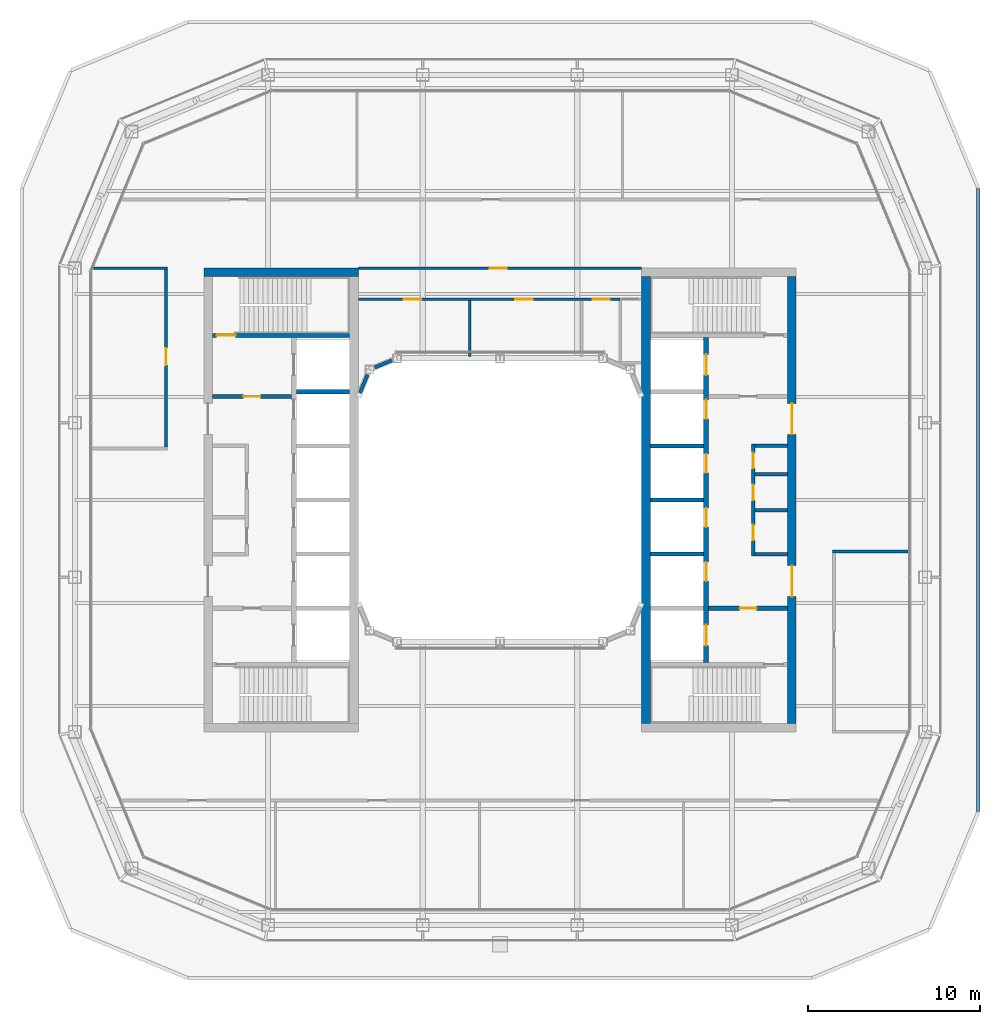
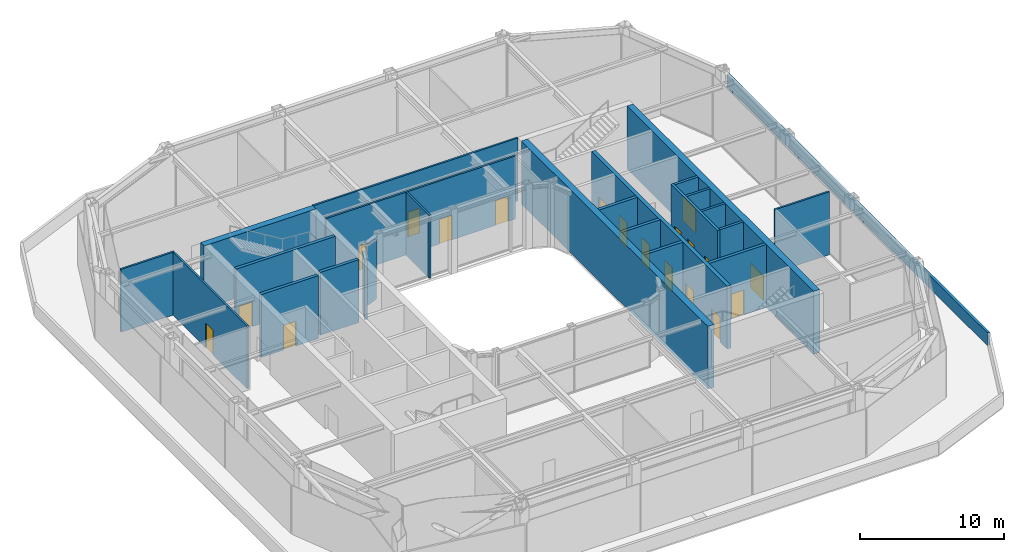
# One storey, part 11 of 17: 25 walls, 19 doors, 19 openings.
"""IFC4 building model written with IfcOpenShell, lengths in metres."""

from ifc_helpers import new_model, si_unit, direction, frame, frame_2d, origin, place, context, subcontext, project, spatial, rectangle, extrude, material, layer, layer_set, type_object, element, fill, save


model = new_model("IFC4")

# Units and contexts
model_context = context("Model", 3, precision=1e-05, world=origin(), true_north=direction((0.0, 1.0)))
body_context = subcontext(model_context, "Body", "Model", "MODEL_VIEW")
ifc_project = project(units=[si_unit("LENGTHUNIT", "METRE"), si_unit("AREAUNIT", "SQUARE_METRE"), si_unit("VOLUMEUNIT", "CUBIC_METRE"), si_unit("PLANEANGLEUNIT", "RADIAN"), si_unit("MASSUNIT", "GRAM", prefix="KILO")], contexts=[model_context])

# Site, building, storey
site_placement = place(None, origin())
site = spatial("IfcSite", under=ifc_project, at=site_placement, CompositionType="ELEMENT")
building_placement = place(site_placement, origin())
building = spatial("IfcBuilding", under=site, at=building_placement, Name="Siwar Civic Tower", CompositionType="ELEMENT")
storey_placement = place(building_placement, frame((0.0, 0.0, 284.199951171875)))
storey = spatial("IfcBuildingStorey", under=building, at=storey_placement, Name="L61", CompositionType="ELEMENT", Elevation=284.199951171875)

# Wall
ifc_material_1 = material(Name="Gypsum board on steel studs", Category="steel")
ifc_layer_1 = layer(ifc_material_1, 0.14990234375)
ifc_layer_set_1 = layer_set([ifc_layer_1], Name="Gypsum board on steel studs")
wall_type_1 = type_object("IfcWallType", Name="COMPARTMENT PARTITION 150 EI 60", PredefinedType="PARTITIONING", material=ifc_layer_set_1)
wall_1_placement = place(storey_placement, frame((19.375, -3.0, 0.0), z_axis=(0.0, 0.0, 1.0), x_axis=(1.0, 0.0, 0.0)))
element("IfcWall", 1, at=wall_1_placement, inside=storey, type_object=wall_type_1, Name="L61/wall/P03", PredefinedType="PARTITIONING", context=body_context, shape_type="SweptSolid", body=[
    extrude(rectangle(XDim=4.385009765625, YDim=0.14990234375, at=frame_2d((2.1923828125, 0.0))), origin(), (0.0, 0.0, 1.0), 5.35009765625),
])

# Wall, openings, doors
ifc_material_2 = material(Name="Gypsum board on steel studs", Category="steel")
ifc_layer_2 = layer(ifc_material_2, 0.199951171875)
ifc_layer_set_2 = layer_set([ifc_layer_2], Name="Gypsum board on steel studs")
wall_type_2 = type_object("IfcWallType", Name="CORE-PARTITION-200", PredefinedType="PARTITIONING", material=ifc_layer_set_2)
wall_2_placement = place(storey_placement, frame((14.75, -3.25, 0.0), z_axis=(0.0, 0.0, 1.0), x_axis=(0.0, 1.0, 0.0)))
wall_2 = element("IfcWall", 2, at=wall_2_placement, inside=storey, type_object=wall_type_2, Name="Core partition E", PredefinedType="PARTITIONING", context=body_context, shape_type="SweptSolid", body=[
    extrude(rectangle(XDim=6.5, YDim=0.199951171875, at=frame_2d((3.25, 0.0))), origin(), (0.0, 0.0, 1.0), 5.35009765625),
])
opening_1_placement = place(wall_2_placement, frame((0.89990234375, 0.0, 0.0)))
opening_1 = element("IfcOpeningElement", 3, at=opening_1_placement, cuts=wall_2, Name="Opening L61-CE13", PredefinedType="OPENING", context=body_context, shape_type="SweptSolid", body=[
    extrude(rectangle(XDim=0.89990234375, YDim=2.10009765625, at=frame_2d((0.449951171875, 1.050048828125))), frame((0.0, 0.10986328125, 0.0), z_axis=(0.0, -1.0, 0.0), x_axis=(1.0, 0.0, 0.0)), (0.0, 0.0, 1.0), 0.219970703125),
])
opening_2_placement = place(wall_2_placement, frame((3.25, 0.0, 0.0)))
opening_2 = element("IfcOpeningElement", 4, at=opening_2_placement, cuts=wall_2, Name="Opening L61-CE14", PredefinedType="OPENING", context=body_context, shape_type="SweptSolid", body=[
    extrude(rectangle(XDim=0.89990234375, YDim=2.10009765625, at=frame_2d((0.449951171875, 1.050048828125))), frame((0.0, 0.10986328125, 0.0), z_axis=(0.0, -1.0, 0.0), x_axis=(1.0, 0.0, 0.0)), (0.0, 0.0, 1.0), 0.219970703125),
])
opening_3_placement = place(wall_2_placement, frame((5.10009765625, 0.0, 0.0)))
opening_3 = element("IfcOpeningElement", 5, at=opening_3_placement, cuts=wall_2, Name="Opening L61-CE15", PredefinedType="OPENING", context=body_context, shape_type="SweptSolid", body=[
    extrude(rectangle(XDim=0.89990234375, YDim=2.10009765625, at=frame_2d((0.449951171875, 1.050048828125))), frame((0.0, 0.10986328125, 0.0), z_axis=(0.0, -1.0, 0.0), x_axis=(1.0, 0.0, 0.0)), (0.0, 0.0, 1.0), 0.219970703125),
])
ifc_material_3 = material(Name="Steel door leaf", Category="steel")
door_type_1 = type_object("IfcDoorType", Name="CORE-DOOR-ROOM", OperationType="SINGLE_SWING_LEFT", PredefinedType="DOOR", material=ifc_material_3)
door_1_placement = place(opening_1_placement, origin())
door_1 = element("IfcDoor", 6, at=door_1_placement, inside=storey, type_object=door_type_1, Name="Core room door L61-CE13", OperationType="SINGLE_SWING_LEFT", OverallHeight=2.10009765625, OverallWidth=0.89990234375, PredefinedType="DOOR", context=body_context, shape_type="SweptSolid", body=[
    extrude(rectangle(XDim=0.89990234375, YDim=2.10009765625, at=frame_2d((0.449951171875, 1.050048828125))), frame((0.0, 0.02490234375, 0.0), z_axis=(0.0, -1.0, 0.0), x_axis=(1.0, 0.0, 0.0)), (0.0, 0.0, 1.0), 0.050048828125),
])
fill(opening_1, door_1)
door_2_placement = place(opening_2_placement, origin())
door_2 = element("IfcDoor", 7, at=door_2_placement, inside=storey, type_object=door_type_1, Name="Core room door L61-CE14", OperationType="SINGLE_SWING_LEFT", OverallHeight=2.10009765625, OverallWidth=0.89990234375, PredefinedType="DOOR", context=body_context, shape_type="SweptSolid", body=[
    extrude(rectangle(XDim=0.89990234375, YDim=2.10009765625, at=frame_2d((0.449951171875, 1.050048828125))), frame((0.0, 0.02490234375, 0.0), z_axis=(0.0, -1.0, 0.0), x_axis=(1.0, 0.0, 0.0)), (0.0, 0.0, 1.0), 0.050048828125),
])
fill(opening_2, door_2)
door_3_placement = place(opening_3_placement, origin())
door_3 = element("IfcDoor", 8, at=door_3_placement, inside=storey, type_object=door_type_1, Name="Core room door L61-CE15", OperationType="SINGLE_SWING_LEFT", OverallHeight=2.10009765625, OverallWidth=0.89990234375, PredefinedType="DOOR", context=body_context, shape_type="SweptSolid", body=[
    extrude(rectangle(XDim=0.89990234375, YDim=2.10009765625, at=frame_2d((0.449951171875, 1.050048828125))), frame((0.0, 0.02490234375, 0.0), z_axis=(0.0, -1.0, 0.0), x_axis=(1.0, 0.0, 0.0)), (0.0, 0.0, 1.0), 0.050048828125),
])
fill(opening_3, door_3)

# Walls
for number, where, z_axis, x_axis, name in (
    (9, (14.85009765625, 3.14990234375, 0.0), (0.0, 0.0, 1.0), (1.0, 0.0, 0.0), "Core partition E"),
    (10, (14.85009765625, -3.14990234375, 0.0), (0.0, 0.0, 1.0), (1.0, 0.0, 0.0), "Core partition E"),
    (11, (14.85009765625, -0.60009765625, 0.0), (0.0, 0.0, 1.0), (1.0, 0.0, 0.0), "Core partition E"),
    (12, (14.85009765625, 1.5, 0.0), (0.0, 0.0, 1.0), (1.0, 0.0, 0.0), "Core partition E"),
):
    element("IfcWall", number, at=place(storey_placement, frame(where, z_axis=z_axis, x_axis=x_axis)), inside=storey, type_object=wall_type_2, Name=name, PredefinedType="PARTITIONING", context=body_context, shape_type="SweptSolid", body=[
        extrude(rectangle(XDim=1.89990234375, YDim=0.199951171875, at=frame_2d((0.949951171875, 0.0))), origin(), (0.0, 0.0, 1.0), 5.35009765625),
    ])

# Wall, opening, door
ifc_material_4 = material(Name="Concrete C60/75", Category="concrete")
ifc_layer_3 = layer(ifc_material_4, 0.25)
ifc_layer_set_3 = layer_set([ifc_layer_3], Name="Concrete C60/75")
wall_type_3 = type_object("IfcWallType", Name="CORE-WALL-RC250", PredefinedType="SHEAR", material=ifc_layer_set_3)
wall_3_placement = place(storey_placement, frame((-12.14990234375, 6.02490234375, 0.0), z_axis=(0.0, 0.0, 1.0), x_axis=(-1.0, 0.0, 0.0)))
wall_3 = element("IfcWall", 13, at=wall_3_placement, inside=storey, type_object=wall_type_3, Name="Core wall W", PredefinedType="SHEAR", context=body_context, shape_type="SweptSolid", body=[
    extrude(rectangle(XDim=4.60009765625, YDim=0.25, at=frame_2d((2.300048828125, 0.0))), origin(), (0.0, 0.0, 1.0), 5.35009765625),
])
opening_4_placement = place(wall_3_placement, frame((1.800048828125, 0.0, 0.0)))
opening_4 = element("IfcOpeningElement", 14, at=opening_4_placement, cuts=wall_3, Name="Opening L61-CW01", PredefinedType="OPENING", context=body_context, shape_type="SweptSolid", body=[
    extrude(rectangle(XDim=1.0, YDim=2.10009765625, at=frame_2d((0.5, 1.050048828125))), frame((0.0, 0.135009765625, 0.0), z_axis=(0.0, -1.0, 0.0), x_axis=(1.0, 0.0, 0.0)), (0.0, 0.0, 1.0), 0.27001953125),
])
ifc_material_5 = material(Name="Steel door leaf", Category="steel")
door_type_2 = type_object("IfcDoorType", Name="CORE-DOOR-FD30S", OperationType="SINGLE_SWING_LEFT", PredefinedType="DOOR", material=ifc_material_5)
door_4_placement = place(opening_4_placement, origin())
door_4 = element("IfcDoor", 15, at=door_4_placement, inside=storey, type_object=door_type_2, Name="Firefighting lobby door L61-CW01", OperationType="SINGLE_SWING_LEFT", OverallHeight=2.10009765625, OverallWidth=1.0, PredefinedType="DOOR", context=body_context, shape_type="SweptSolid", body=[
    extrude(rectangle(XDim=1.0, YDim=2.10009765625, at=frame_2d((0.5, 1.050048828125))), frame((0.0, 0.02490234375, 0.0), z_axis=(0.0, -1.0, 0.0), x_axis=(1.0, 0.0, 0.0)), (0.0, 0.0, 1.0), 0.050048828125),
])
fill(opening_4, door_4)

# Wall
wall_4_placement = place(storey_placement, frame((-8.75, 6.300048828125, 0.0), z_axis=(0.0, 0.0, 1.0), x_axis=(-1.0, 0.0, 0.0)))
element("IfcWall", 16, at=wall_4_placement, inside=storey, type_object=wall_type_3, Name="Core wall W", PredefinedType="SHEAR", context=body_context, shape_type="SweptSolid", body=[
    extrude(rectangle(XDim=3.10009765625, YDim=0.25, at=frame_2d((1.550048828125, 0.0))), origin(), (0.0, 0.0, 1.0), 5.35009765625),
])

# Wall, opening, door
wall_5_placement = place(storey_placement, frame((-8.75, 9.574951171875, 0.0), z_axis=(0.0, 0.0, 1.0), x_axis=(-1.0, 0.0, 0.0)))
wall_5 = element("IfcWall", 17, at=wall_5_placement, inside=storey, type_object=wall_type_3, Name="Core wall W", PredefinedType="SHEAR", context=body_context, shape_type="SweptSolid", body=[
    extrude(rectangle(XDim=8.0, YDim=0.25, at=frame_2d((4.0, 0.0))), origin(), (0.0, 0.0, 1.0), 5.35009765625),
])
opening_5_placement = place(wall_5_placement, frame((6.64990234375, 0.0, 0.0)))
opening_5 = element("IfcOpeningElement", 18, at=opening_5_placement, cuts=wall_5, Name="Opening L61-CW03", PredefinedType="OPENING", context=body_context, shape_type="SweptSolid", body=[
    extrude(rectangle(XDim=1.10009765625, YDim=2.10009765625, at=frame_2d((0.550048828125, 1.050048828125))), frame((0.0, 0.135009765625, 0.0), z_axis=(0.0, -1.0, 0.0), x_axis=(1.0, 0.0, 0.0)), (0.0, 0.0, 1.0), 0.27001953125),
])
ifc_material_6 = material(Name="Steel door leaf", Category="steel")
door_type_3 = type_object("IfcDoorType", Name="CORE-DOOR-FD60S", OperationType="SINGLE_SWING_LEFT", PredefinedType="DOOR", material=ifc_material_6)
door_5_placement = place(opening_5_placement, origin())
door_5 = element("IfcDoor", 19, at=door_5_placement, inside=storey, type_object=door_type_3, Name="Stair door L61-CW03", OperationType="SINGLE_SWING_RIGHT", OverallHeight=2.10009765625, OverallWidth=1.10009765625, PredefinedType="DOOR", context=body_context, shape_type="SweptSolid", body=[
    extrude(rectangle(XDim=1.10009765625, YDim=2.10009765625, at=frame_2d((0.550048828125, 1.050048828125))), frame((0.0, 0.02490234375, 0.0), z_axis=(0.0, -1.0, 0.0), x_axis=(1.0, 0.0, 0.0)), (0.0, 0.0, 1.0), 0.050048828125),
])
fill(opening_5, door_5)

wall_6_placement = place(storey_placement, frame((12.14990234375, -6.300048828125, 0.0), z_axis=(0.0, 0.0, 1.0), x_axis=(1.0, 0.0, 0.0)))
wall_6 = element("IfcWall", 20, at=wall_6_placement, inside=storey, type_object=wall_type_3, Name="Core wall E", PredefinedType="SHEAR", context=body_context, shape_type="SweptSolid", body=[
    extrude(rectangle(XDim=4.60009765625, YDim=0.25, at=frame_2d((2.300048828125, 0.0))), origin(), (0.0, 0.0, 1.0), 5.35009765625),
])
opening_6_placement = place(wall_6_placement, frame((1.800048828125, 0.0, 0.0)))
opening_6 = element("IfcOpeningElement", 21, at=opening_6_placement, cuts=wall_6, Name="Opening L61-CE02", PredefinedType="OPENING", context=body_context, shape_type="SweptSolid", body=[
    extrude(rectangle(XDim=1.0, YDim=2.10009765625, at=frame_2d((0.5, 1.050048828125))), frame((0.0, 0.135009765625, 0.0), z_axis=(0.0, -1.0, 0.0), x_axis=(1.0, 0.0, 0.0)), (0.0, 0.0, 1.0), 0.27001953125),
])
door_6_placement = place(opening_6_placement, origin())
door_6 = element("IfcDoor", 22, at=door_6_placement, inside=storey, type_object=door_type_2, Name="Service lobby door L61-CE02", OperationType="SINGLE_SWING_LEFT", OverallHeight=2.10009765625, OverallWidth=1.0, PredefinedType="DOOR", context=body_context, shape_type="SweptSolid", body=[
    extrude(rectangle(XDim=1.0, YDim=2.10009765625, at=frame_2d((0.5, 1.050048828125))), frame((0.0, 0.02490234375, 0.0), z_axis=(0.0, -1.0, 0.0), x_axis=(1.0, 0.0, 0.0)), (0.0, 0.0, 1.0), 0.050048828125),
])
fill(opening_6, door_6)

# Walls
for number, where, z_axis, x_axis, name in (
    (23, (8.75, 0.0, 0.0), (0.0, 0.0, 1.0), (1.0, 0.0, 0.0), "Core wall E"),
    (24, (8.75, 3.14990234375, 0.0), (0.0, 0.0, 1.0), (1.0, 0.0, 0.0), "Core wall E"),
    (25, (8.75, -3.14990234375, 0.0), (0.0, 0.0, 1.0), (1.0, 0.0, 0.0), "Core wall E"),
):
    element("IfcWall", number, at=place(storey_placement, frame(where, z_axis=z_axis, x_axis=x_axis)), inside=storey, type_object=wall_type_3, Name=name, PredefinedType="SHEAR", context=body_context, shape_type="SweptSolid", body=[
        extrude(rectangle(XDim=3.10009765625, YDim=0.25, at=frame_2d((1.550048828125, 0.0))), origin(), (0.0, 0.0, 1.0), 5.35009765625),
    ])

# Wall, openings, doors
ifc_material_7 = material(Name="Concrete C60/75", Category="concrete")
ifc_layer_4 = layer(ifc_material_7, 0.300048828125)
ifc_layer_set_4 = layer_set([ifc_layer_4], Name="Concrete C60/75")
wall_type_4 = type_object("IfcWallType", Name="CORE-WALL-RC300", PredefinedType="SHEAR", material=ifc_layer_set_4)
wall_7_placement = place(storey_placement, frame((12.0, -9.449951171875, 0.0), z_axis=(0.0, 0.0, 1.0), x_axis=(0.0, 1.0, 0.0)))
wall_7 = element("IfcWall", 26, at=wall_7_placement, inside=storey, type_object=wall_type_4, Name="Core wall E", PredefinedType="SHEAR", context=body_context, shape_type="SweptSolid", body=[
    extrude(rectangle(XDim=18.89990234375, YDim=0.300048828125, at=frame_2d((9.449951171875, 0.0))), origin(), (0.0, 0.0, 1.0), 5.35009765625),
])
opening_7_placement = place(wall_7_placement, frame((4.72509765625, 0.0, 0.0)))
opening_7 = element("IfcOpeningElement", 27, at=opening_7_placement, cuts=wall_7, Name="Opening L61-CE07", PredefinedType="OPENING", context=body_context, shape_type="SweptSolid", body=[
    extrude(rectangle(XDim=1.10009765625, YDim=2.10009765625, at=frame_2d((0.550048828125, 1.050048828125))), frame((0.0, 0.16015625, 0.0), z_axis=(0.0, -1.0, 0.0), x_axis=(1.0, 0.0, 0.0)), (0.0, 0.0, 1.0), 0.320068359375),
])
opening_8_placement = place(wall_7_placement, frame((7.875, 0.0, 0.0)))
opening_8 = element("IfcOpeningElement", 28, at=opening_8_placement, cuts=wall_7, Name="Opening L61-CE08", PredefinedType="OPENING", context=body_context, shape_type="SweptSolid", body=[
    extrude(rectangle(XDim=1.10009765625, YDim=2.10009765625, at=frame_2d((0.550048828125, 1.050048828125))), frame((0.0, 0.16015625, 0.0), z_axis=(0.0, -1.0, 0.0), x_axis=(1.0, 0.0, 0.0)), (0.0, 0.0, 1.0), 0.320068359375),
])
opening_9_placement = place(wall_7_placement, frame((11.02490234375, 0.0, 0.0)))
opening_9 = element("IfcOpeningElement", 29, at=opening_9_placement, cuts=wall_7, Name="Opening L61-CE09", PredefinedType="OPENING", context=body_context, shape_type="SweptSolid", body=[
    extrude(rectangle(XDim=1.10009765625, YDim=2.10009765625, at=frame_2d((0.550048828125, 1.050048828125))), frame((0.0, 0.16015625, 0.0), z_axis=(0.0, -1.0, 0.0), x_axis=(1.0, 0.0, 0.0)), (0.0, 0.0, 1.0), 0.320068359375),
])
opening_10_placement = place(wall_7_placement, frame((14.175048828125, 0.0, 0.0)))
opening_10 = element("IfcOpeningElement", 30, at=opening_10_placement, cuts=wall_7, Name="Opening L61-CE10", PredefinedType="OPENING", context=body_context, shape_type="SweptSolid", body=[
    extrude(rectangle(XDim=1.10009765625, YDim=2.10009765625, at=frame_2d((0.550048828125, 1.050048828125))), frame((0.0, 0.16015625, 0.0), z_axis=(0.0, -1.0, 0.0), x_axis=(1.0, 0.0, 0.0)), (0.0, 0.0, 1.0), 0.320068359375),
])
opening_11_placement = place(wall_7_placement, frame((16.72509765625, 0.0, 0.0)))
opening_11 = element("IfcOpeningElement", 31, at=opening_11_placement, cuts=wall_7, Name="Opening L61-CE11", PredefinedType="OPENING", context=body_context, shape_type="SweptSolid", body=[
    extrude(rectangle(XDim=1.199951171875, YDim=2.10009765625, at=frame_2d((0.60009765625, 1.050048828125))), frame((0.0, 0.16015625, 0.0), z_axis=(0.0, -1.0, 0.0), x_axis=(1.0, 0.0, 0.0)), (0.0, 0.0, 1.0), 0.320068359375),
])
opening_12_placement = place(wall_7_placement, frame((0.97509765625, 0.0, 0.0)))
opening_12 = element("IfcOpeningElement", 32, at=opening_12_placement, cuts=wall_7, Name="Opening L61-CE12", PredefinedType="OPENING", context=body_context, shape_type="SweptSolid", body=[
    extrude(rectangle(XDim=1.199951171875, YDim=2.10009765625, at=frame_2d((0.60009765625, 1.050048828125))), frame((0.0, 0.16015625, 0.0), z_axis=(0.0, -1.0, 0.0), x_axis=(1.0, 0.0, 0.0)), (0.0, 0.0, 1.0), 0.320068359375),
])
ifc_material_8 = material(Name="Steel door leaf", Category="steel")
door_type_4 = type_object("IfcDoorType", Name="CORE-DOOR-LD", OperationType="DOUBLE_DOOR_SLIDING", PredefinedType="DOOR", material=ifc_material_8)
door_7_placement = place(opening_7_placement, origin())
door_7 = element("IfcDoor", 33, at=door_7_placement, inside=storey, type_object=door_type_4, Name="Landing door HR5 L61-CE07", OperationType="DOUBLE_DOOR_SLIDING", OverallHeight=2.10009765625, OverallWidth=1.10009765625, PredefinedType="DOOR", context=body_context, shape_type="SweptSolid", body=[
    extrude(rectangle(XDim=1.10009765625, YDim=2.10009765625, at=frame_2d((0.550048828125, 1.050048828125))), frame((0.0, 0.02490234375, 0.0), z_axis=(0.0, -1.0, 0.0), x_axis=(1.0, 0.0, 0.0)), (0.0, 0.0, 1.0), 0.050048828125),
])
fill(opening_7, door_7)
door_8_placement = place(opening_8_placement, origin())
door_8 = element("IfcDoor", 34, at=door_8_placement, inside=storey, type_object=door_type_4, Name="Landing door HR6 L61-CE08", OperationType="DOUBLE_DOOR_SLIDING", OverallHeight=2.10009765625, OverallWidth=1.10009765625, PredefinedType="DOOR", context=body_context, shape_type="SweptSolid", body=[
    extrude(rectangle(XDim=1.10009765625, YDim=2.10009765625, at=frame_2d((0.550048828125, 1.050048828125))), frame((0.0, 0.02490234375, 0.0), z_axis=(0.0, -1.0, 0.0), x_axis=(1.0, 0.0, 0.0)), (0.0, 0.0, 1.0), 0.050048828125),
])
fill(opening_8, door_8)
door_9_placement = place(opening_9_placement, origin())
door_9 = element("IfcDoor", 35, at=door_9_placement, inside=storey, type_object=door_type_4, Name="Landing door HR7 L61-CE09", OperationType="DOUBLE_DOOR_SLIDING", OverallHeight=2.10009765625, OverallWidth=1.10009765625, PredefinedType="DOOR", context=body_context, shape_type="SweptSolid", body=[
    extrude(rectangle(XDim=1.10009765625, YDim=2.10009765625, at=frame_2d((0.550048828125, 1.050048828125))), frame((0.0, 0.02490234375, 0.0), z_axis=(0.0, -1.0, 0.0), x_axis=(1.0, 0.0, 0.0)), (0.0, 0.0, 1.0), 0.050048828125),
])
fill(opening_9, door_9)
door_10_placement = place(opening_10_placement, origin())
door_10 = element("IfcDoor", 36, at=door_10_placement, inside=storey, type_object=door_type_4, Name="Landing door HR8 L61-CE10", OperationType="DOUBLE_DOOR_SLIDING", OverallHeight=2.10009765625, OverallWidth=1.10009765625, PredefinedType="DOOR", context=body_context, shape_type="SweptSolid", body=[
    extrude(rectangle(XDim=1.10009765625, YDim=2.10009765625, at=frame_2d((0.550048828125, 1.050048828125))), frame((0.0, 0.02490234375, 0.0), z_axis=(0.0, -1.0, 0.0), x_axis=(1.0, 0.0, 0.0)), (0.0, 0.0, 1.0), 0.050048828125),
])
fill(opening_10, door_10)
ifc_material_9 = material(Name="Steel door leaf", Category="steel")
door_type_5 = type_object("IfcDoorType", Name="CORE-DOOR-LDW", OperationType="DOUBLE_DOOR_SLIDING", PredefinedType="DOOR", material=ifc_material_9)
door_11_placement = place(opening_11_placement, origin())
door_11 = element("IfcDoor", 37, at=door_11_placement, inside=storey, type_object=door_type_5, Name="Landing door FF2 L61-CE11", OperationType="DOUBLE_DOOR_SLIDING", OverallHeight=2.10009765625, OverallWidth=1.199951171875, PredefinedType="DOOR", context=body_context, shape_type="SweptSolid", body=[
    extrude(rectangle(XDim=1.199951171875, YDim=2.10009765625, at=frame_2d((0.60009765625, 1.050048828125))), frame((0.0, 0.02490234375, 0.0), z_axis=(0.0, -1.0, 0.0), x_axis=(1.0, 0.0, 0.0)), (0.0, 0.0, 1.0), 0.050048828125),
])
fill(opening_11, door_11)
door_12_placement = place(opening_12_placement, origin())
door_12 = element("IfcDoor", 38, at=door_12_placement, inside=storey, type_object=door_type_5, Name="Landing door SV2 L61-CE12", OperationType="DOUBLE_DOOR_SLIDING", OverallHeight=2.10009765625, OverallWidth=1.199951171875, PredefinedType="DOOR", context=body_context, shape_type="SweptSolid", body=[
    extrude(rectangle(XDim=1.199951171875, YDim=2.10009765625, at=frame_2d((0.60009765625, 1.050048828125))), frame((0.0, 0.02490234375, 0.0), z_axis=(0.0, -1.0, 0.0), x_axis=(1.0, 0.0, 0.0)), (0.0, 0.0, 1.0), 0.050048828125),
])
fill(opening_12, door_12)

# Wall
ifc_material_10 = material(Name="Concrete C60/75", Category="concrete")
ifc_layer_5 = layer(ifc_material_10, 0.5)
ifc_layer_set_5 = layer_set([ifc_layer_5], Name="Concrete C60/75")
wall_type_5 = type_object("IfcWallType", Name="CORE-WALL-RC500", PredefinedType="SHEAR", material=ifc_layer_set_5)
wall_8_placement = place(storey_placement, frame((-8.25, 13.25, 0.0), z_axis=(0.0, 0.0, 1.0), x_axis=(-1.0, 0.0, 0.0)))
element("IfcWall", 39, at=wall_8_placement, inside=storey, type_object=wall_type_5, Name="Core wall W", PredefinedType="SHEAR", context=body_context, shape_type="SweptSolid", body=[
    extrude(rectangle(XDim=9.0, YDim=0.5, at=frame_2d((4.5, 0.0))), origin(), (0.0, 0.0, 1.0), 5.35009765625),
])

# Wall, openings, doors
wall_9_placement = place(storey_placement, frame((17.0, -13.0, 0.0), z_axis=(0.0, 0.0, 1.0), x_axis=(0.0, 1.0, 0.0)))
wall_9 = element("IfcWall", 40, at=wall_9_placement, inside=storey, type_object=wall_type_5, Name="Core wall E", PredefinedType="SHEAR", context=body_context, shape_type="SweptSolid", body=[
    extrude(rectangle(XDim=26.0, YDim=0.5, at=frame_2d((13.0, 0.0))), origin(), (0.0, 0.0, 1.0), 5.35009765625),
])
opening_13_placement = place(wall_9_placement, frame((16.824951171875, 0.0, 0.0)))
opening_13 = element("IfcOpeningElement", 41, at=opening_13_placement, cuts=wall_9, Name="Opening L61-CE05", PredefinedType="OPENING", context=body_context, shape_type="SweptSolid", body=[
    extrude(rectangle(XDim=1.800048828125, YDim=2.10009765625, at=frame_2d((0.89990234375, 1.050048828125))), frame((0.0, 0.260009765625, 0.0), z_axis=(0.0, -1.0, 0.0), x_axis=(1.0, 0.0, 0.0)), (0.0, 0.0, 1.0), 0.52001953125),
])
opening_14_placement = place(wall_9_placement, frame((7.375, 0.0, 0.0)))
opening_14 = element("IfcOpeningElement", 42, at=opening_14_placement, cuts=wall_9, Name="Opening L61-CE06", PredefinedType="OPENING", context=body_context, shape_type="SweptSolid", body=[
    extrude(rectangle(XDim=1.800048828125, YDim=2.10009765625, at=frame_2d((0.89990234375, 1.050048828125))), frame((0.0, 0.260009765625, 0.0), z_axis=(0.0, -1.0, 0.0), x_axis=(1.0, 0.0, 0.0)), (0.0, 0.0, 1.0), 0.52001953125),
])
ifc_material_11 = material(Name="Steel door leaf", Category="steel")
door_type_6 = type_object("IfcDoorType", Name="CORE-DOOR-PORT", OperationType="DOUBLE_DOOR_DOUBLE_SWING", PredefinedType="DOOR", material=ifc_material_11)
door_13_placement = place(opening_13_placement, origin())
door_13 = element("IfcDoor", 43, at=door_13_placement, inside=storey, type_object=door_type_6, Name="Core entrance door L61-CE05", OperationType="DOUBLE_DOOR_DOUBLE_SWING", OverallHeight=2.10009765625, OverallWidth=1.800048828125, PredefinedType="DOOR", context=body_context, shape_type="SweptSolid", body=[
    extrude(rectangle(XDim=1.800048828125, YDim=2.10009765625, at=frame_2d((0.89990234375, 1.050048828125))), frame((0.0, 0.02490234375, 0.0), z_axis=(0.0, -1.0, 0.0), x_axis=(1.0, 0.0, 0.0)), (0.0, 0.0, 1.0), 0.050048828125),
])
fill(opening_13, door_13)
door_14_placement = place(opening_14_placement, origin())
door_14 = element("IfcDoor", 44, at=door_14_placement, inside=storey, type_object=door_type_6, Name="Core entrance door L61-CE06", OperationType="DOUBLE_DOOR_DOUBLE_SWING", OverallHeight=2.10009765625, OverallWidth=1.800048828125, PredefinedType="DOOR", context=body_context, shape_type="SweptSolid", body=[
    extrude(rectangle(XDim=1.800048828125, YDim=2.10009765625, at=frame_2d((0.89990234375, 1.050048828125))), frame((0.0, 0.02490234375, 0.0), z_axis=(0.0, -1.0, 0.0), x_axis=(1.0, 0.0, 0.0)), (0.0, 0.0, 1.0), 0.050048828125),
])
fill(opening_14, door_14)

# Wall
ifc_material_12 = material(Name="Concrete C60/75", Category="concrete")
ifc_layer_6 = layer(ifc_material_12, 0.5)
ifc_layer_set_6 = layer_set([ifc_layer_6], Name="Concrete C60/75")
wall_type_6 = type_object("IfcWallType", Name="CORE-WALL-RC500-EXT", PredefinedType="SHEAR", material=ifc_layer_set_6)
wall_10_placement = place(storey_placement, frame((8.5, -13.0, 0.0), z_axis=(0.0, 0.0, 1.0), x_axis=(0.0, 1.0, 0.0)))
element("IfcWall", 45, at=wall_10_placement, inside=storey, type_object=wall_type_6, Name="Core wall E", PredefinedType="SHEAR", context=body_context, shape_type="SweptSolid", body=[
    extrude(rectangle(XDim=26.0, YDim=0.5, at=frame_2d((13.0, 0.0))), origin(), (0.0, 0.0, 1.0), 5.35009765625),
])

# Wall, openings, doors
ifc_material_13 = material(Name="Gypsum board on steel studs", Category="steel")
ifc_layer_7 = layer(ifc_material_13, 0.14990234375)
ifc_layer_set_7 = layer_set([ifc_layer_7], Name="Gypsum board on steel studs")
wall_type_7 = type_object("IfcWallType", Name="CORRIDOR PARTITION 150 EI 30", PredefinedType="PARTITIONING", material=ifc_layer_set_7)
wall_11_placement = place(storey_placement, frame((-8.25, 11.699951171875, 0.0), z_axis=(0.0, 0.0, 1.0), x_axis=(1.0, 0.0, 0.0)))
wall_11 = element("IfcWall", 46, at=wall_11_placement, inside=storey, type_object=wall_type_7, Name="L61/wall/P06", PredefinedType="PARTITIONING", context=body_context, shape_type="SweptSolid", body=[
    extrude(rectangle(XDim=15.25, YDim=0.14990234375, at=frame_2d((7.625, 0.0))), origin(), (0.0, 0.0, 1.0), 5.35009765625),
])
opening_15_placement = place(wall_11_placement, frame((2.64990234375, 0.0, 0.0)))
opening_15 = element("IfcOpeningElement", 47, at=opening_15_placement, cuts=wall_11, Name="Opening D3", PredefinedType="OPENING", context=body_context, shape_type="SweptSolid", body=[
    extrude(rectangle(XDim=1.0, YDim=2.10009765625, at=frame_2d((0.5, 1.050048828125))), frame((0.0, 0.0849609375, 0.0), z_axis=(0.0, -1.0, 0.0), x_axis=(1.0, 0.0, 0.0)), (0.0, 0.0, 1.0), 0.169921875),
])
opening_16_placement = place(wall_11_placement, frame((9.14990234375, 0.0, 0.0)))
opening_16 = element("IfcOpeningElement", 48, at=opening_16_placement, cuts=wall_11, Name="Opening D3", PredefinedType="OPENING", context=body_context, shape_type="SweptSolid", body=[
    extrude(rectangle(XDim=1.0, YDim=2.10009765625, at=frame_2d((0.5, 1.050048828125))), frame((0.0, 0.0849609375, 0.0), z_axis=(0.0, -1.0, 0.0), x_axis=(1.0, 0.0, 0.0)), (0.0, 0.0, 1.0), 0.169921875),
])
opening_17_placement = place(wall_11_placement, frame((13.64990234375, 0.0, 0.0)))
opening_17 = element("IfcOpeningElement", 49, at=opening_17_placement, cuts=wall_11, Name="Opening D3", PredefinedType="OPENING", context=body_context, shape_type="SweptSolid", body=[
    extrude(rectangle(XDim=1.0, YDim=2.10009765625, at=frame_2d((0.5, 1.050048828125))), frame((0.0, 0.0849609375, 0.0), z_axis=(0.0, -1.0, 0.0), x_axis=(1.0, 0.0, 0.0)), (0.0, 0.0, 1.0), 0.169921875),
])
ifc_material_14 = material(Name="Timber, painted", Category="wood")
door_type_7 = type_object("IfcDoorType", Name="DOOR 1000 X 2100 WC", OperationType="SINGLE_SWING_LEFT", PredefinedType="DOOR", material=ifc_material_14)
door_15_placement = place(opening_15_placement, origin())
door_15 = element("IfcDoor", 50, at=door_15_placement, inside=storey, type_object=door_type_7, Name="L61-D09", OperationType="SINGLE_SWING_LEFT", OverallHeight=2.10009765625, OverallWidth=1.0, PredefinedType="DOOR", context=body_context, shape_type="SweptSolid", body=[
    extrude(rectangle(XDim=1.0, YDim=2.10009765625, at=frame_2d((0.5, 1.050048828125))), frame((0.0, 0.02490234375, 0.0), z_axis=(0.0, -1.0, 0.0), x_axis=(1.0, 0.0, 0.0)), (0.0, 0.0, 1.0), 0.050048828125),
])
fill(opening_15, door_15)
door_16_placement = place(opening_16_placement, origin())
door_16 = element("IfcDoor", 51, at=door_16_placement, inside=storey, type_object=door_type_7, Name="L61-D10", OperationType="SINGLE_SWING_RIGHT", OverallHeight=2.10009765625, OverallWidth=1.0, PredefinedType="DOOR", context=body_context, shape_type="SweptSolid", body=[
    extrude(rectangle(XDim=1.0, YDim=2.10009765625, at=frame_2d((0.5, 1.050048828125))), frame((0.0, 0.02490234375, 0.0), z_axis=(0.0, -1.0, 0.0), x_axis=(1.0, 0.0, 0.0)), (0.0, 0.0, 1.0), 0.050048828125),
])
fill(opening_16, door_16)
door_17_placement = place(opening_17_placement, origin())
door_17 = element("IfcDoor", 52, at=door_17_placement, inside=storey, type_object=door_type_7, Name="L61-D11", OperationType="SINGLE_SWING_LEFT", OverallHeight=2.10009765625, OverallWidth=1.0, PredefinedType="DOOR", context=body_context, shape_type="SweptSolid", body=[
    extrude(rectangle(XDim=1.0, YDim=2.10009765625, at=frame_2d((0.5, 1.050048828125))), frame((0.0, 0.02490234375, 0.0), z_axis=(0.0, -1.0, 0.0), x_axis=(1.0, 0.0, 0.0)), (0.0, 0.0, 1.0), 0.050048828125),
])
fill(opening_17, door_17)

# Wall
wall_12_placement = place(storey_placement, frame((-23.677978515625, 13.5, 0.0), z_axis=(0.0, 0.0, 1.0), x_axis=(1.0, 0.0, 0.0)))
element("IfcWall", 53, at=wall_12_placement, inside=storey, type_object=wall_type_7, Name="L61/wall/P08", PredefinedType="PARTITIONING", context=body_context, shape_type="SweptSolid", body=[
    extrude(rectangle(XDim=4.302978515625, YDim=0.14990234375, at=frame_2d((2.1513671875, 0.0))), origin(), (0.0, 0.0, 1.0), 5.35009765625),
])

# Wall, opening, door
wall_13_placement = place(storey_placement, frame((-8.25, 13.5, 0.0), z_axis=(0.0, 0.0, 1.0), x_axis=(1.0, 0.0, 0.0)))
wall_13 = element("IfcWall", 54, at=wall_13_placement, inside=storey, type_object=wall_type_7, Name="L61/wall/P09", PredefinedType="PARTITIONING", context=body_context, shape_type="SweptSolid", body=[
    extrude(rectangle(XDim=16.5, YDim=0.14990234375, at=frame_2d((8.25, 0.0))), origin(), (0.0, 0.0, 1.0), 5.35009765625),
])
opening_18_placement = place(wall_13_placement, frame((7.64990234375, 0.0, 0.0)))
opening_18 = element("IfcOpeningElement", 55, at=opening_18_placement, cuts=wall_13, Name="Opening D1", PredefinedType="OPENING", context=body_context, shape_type="SweptSolid", body=[
    extrude(rectangle(XDim=1.0, YDim=2.10009765625, at=frame_2d((0.5, 1.050048828125))), frame((0.0, 0.0849609375, 0.0), z_axis=(0.0, -1.0, 0.0), x_axis=(1.0, 0.0, 0.0)), (0.0, 0.0, 1.0), 0.169921875),
])
ifc_material_15 = material(Name="Timber, painted", Category="wood")
door_type_8 = type_object("IfcDoorType", Name="DOOR 1000 X 2100 FD30", OperationType="SINGLE_SWING_LEFT", PredefinedType="DOOR", material=ifc_material_15)
door_18_placement = place(opening_18_placement, origin())
door_18 = element("IfcDoor", 56, at=door_18_placement, inside=storey, type_object=door_type_8, Name="L61-D08", OperationType="SINGLE_SWING_RIGHT", OverallHeight=2.10009765625, OverallWidth=1.0, PredefinedType="DOOR", context=body_context, shape_type="SweptSolid", body=[
    extrude(rectangle(XDim=1.0, YDim=2.10009765625, at=frame_2d((0.5, 1.050048828125))), frame((0.0, 0.02490234375, 0.0), z_axis=(0.0, -1.0, 0.0), x_axis=(1.0, 0.0, 0.0)), (0.0, 0.0, 1.0), 0.050048828125),
])
fill(opening_18, door_18)

wall_14_placement = place(storey_placement, frame((-19.449951171875, 3.074951171875, 0.0), z_axis=(0.0, 0.0, 1.0), x_axis=(0.0, 1.0, 0.0)))
wall_14 = element("IfcWall", 57, at=wall_14_placement, inside=storey, type_object=wall_type_7, Name="L61/wall/P11", PredefinedType="PARTITIONING", context=body_context, shape_type="SweptSolid", body=[
    extrude(rectangle(XDim=10.35009765625, YDim=0.14990234375, at=frame_2d((5.175048828125, 0.0))), origin(), (0.0, 0.0, 1.0), 5.35009765625),
])
opening_19_placement = place(wall_14_placement, frame((4.77490234375, 0.0, 0.0)))
opening_19 = element("IfcOpeningElement", 58, at=opening_19_placement, cuts=wall_14, Name="Opening D1", PredefinedType="OPENING", context=body_context, shape_type="SweptSolid", body=[
    extrude(rectangle(XDim=1.0, YDim=2.10009765625, at=frame_2d((0.5, 1.050048828125))), frame((0.0, 0.0849609375, 0.0), z_axis=(0.0, -1.0, 0.0), x_axis=(1.0, 0.0, 0.0)), (0.0, 0.0, 1.0), 0.169921875),
])
door_19_placement = place(opening_19_placement, origin())
door_19 = element("IfcDoor", 59, at=door_19_placement, inside=storey, type_object=door_type_8, Name="L61-D13", OperationType="SINGLE_SWING_LEFT", OverallHeight=2.10009765625, OverallWidth=1.0, PredefinedType="DOOR", context=body_context, shape_type="SweptSolid", body=[
    extrude(rectangle(XDim=1.0, YDim=2.10009765625, at=frame_2d((0.5, 1.050048828125))), frame((0.0, 0.02490234375, 0.0), z_axis=(0.0, -1.0, 0.0), x_axis=(1.0, 0.0, 0.0)), (0.0, 0.0, 1.0), 0.050048828125),
])
fill(opening_19, door_19)

# Walls
wall_15_placement = place(storey_placement, frame((-1.75, 8.3701171875, 0.0), z_axis=(0.0, 0.0, 1.0), x_axis=(0.0, 1.0, 0.0)))
element("IfcWall", 60, at=wall_15_placement, inside=storey, type_object=wall_type_7, Name="L61/wall/P14", PredefinedType="PARTITIONING", context=body_context, shape_type="SweptSolid", body=[
    extrude(rectangle(XDim=3.2548828125, YDim=0.14990234375, at=frame_2d((1.62744140625, 0.0))), origin(), (0.0, 0.0, 1.0), 5.35009765625),
])
ifc_material_16 = material(Name="Aluminium clad insulated panel", Category="aluminium")
ifc_layer_8 = layer(ifc_material_16, 0.199951171875)
ifc_layer_set_8 = layer_set([ifc_layer_8], Name="Aluminium clad insulated panel")
wall_type_8 = type_object("IfcWallType", Name="ENV-PARAPET", PredefinedType="PARAPET", material=ifc_layer_set_8)
wall_16_placement = place(storey_placement, frame((27.85009765625, -18.149169921875, 0.0), z_axis=(0.0, 0.0, 1.0), x_axis=(0.0, 1.0, 0.0)))
element("IfcWall", 61, at=wall_16_placement, inside=storey, type_object=wall_type_8, Name="Parapet L60 roof 1.5", PredefinedType="PARAPET", context=body_context, shape_type="SweptSolid", body=[
    extrude(rectangle(XDim=36.29833984375, YDim=0.199951171875, at=frame_2d((18.149169921875, 0.0))), origin(), (0.0, 0.0, 1.0), 1.10009765625),
])
ifc_material_17 = material(Name="Aluminium clad insulated panel", Category="aluminium")
ifc_layer_9 = layer(ifc_material_17, 0.199951171875)
ifc_layer_set_9 = layer_set([ifc_layer_9], Name="Aluminium clad insulated panel")
wall_type_9 = type_object("IfcWallType", Name="ENV-WALL-WELL", PredefinedType="STANDARD", material=ifc_layer_set_9)
wall_17_placement = place(storey_placement, frame((-6.3017578125, 8.125, 0.0), z_axis=(0.0, 0.0, 1.0), x_axis=(-0.923919409248, -0.382587147216, 0.0)))
element("IfcWall", 62, at=wall_17_placement, inside=storey, type_object=wall_type_9, Name="Light well corner wall NW1", PredefinedType="STANDARD", context=body_context, shape_type="SweptSolid", body=[
    extrude(rectangle(XDim=1.06884765625, YDim=0.199951171875, at=frame_2d((0.534423828125, 0.0))), origin(), (0.0, 0.0, 1.0), 5.010009765625),
])
wall_18_placement = place(storey_placement, frame((-7.716064453125, 7.289306640625, 0.0), z_axis=(0.0, 0.0, 1.0), x_axis=(-0.382571404949, -0.923925927829, 0.0)))
element("IfcWall", 63, at=wall_18_placement, inside=storey, type_object=wall_type_9, Name="Light well corner wall NW2", PredefinedType="STANDARD", context=body_context, shape_type="SweptSolid", body=[
    extrude(rectangle(XDim=1.1455078125, YDim=0.199951171875, at=frame_2d((0.57275390625, 0.0))), origin(), (0.0, 0.0, 1.0), 5.010009765625),
])

save(model, "model.ifc")
